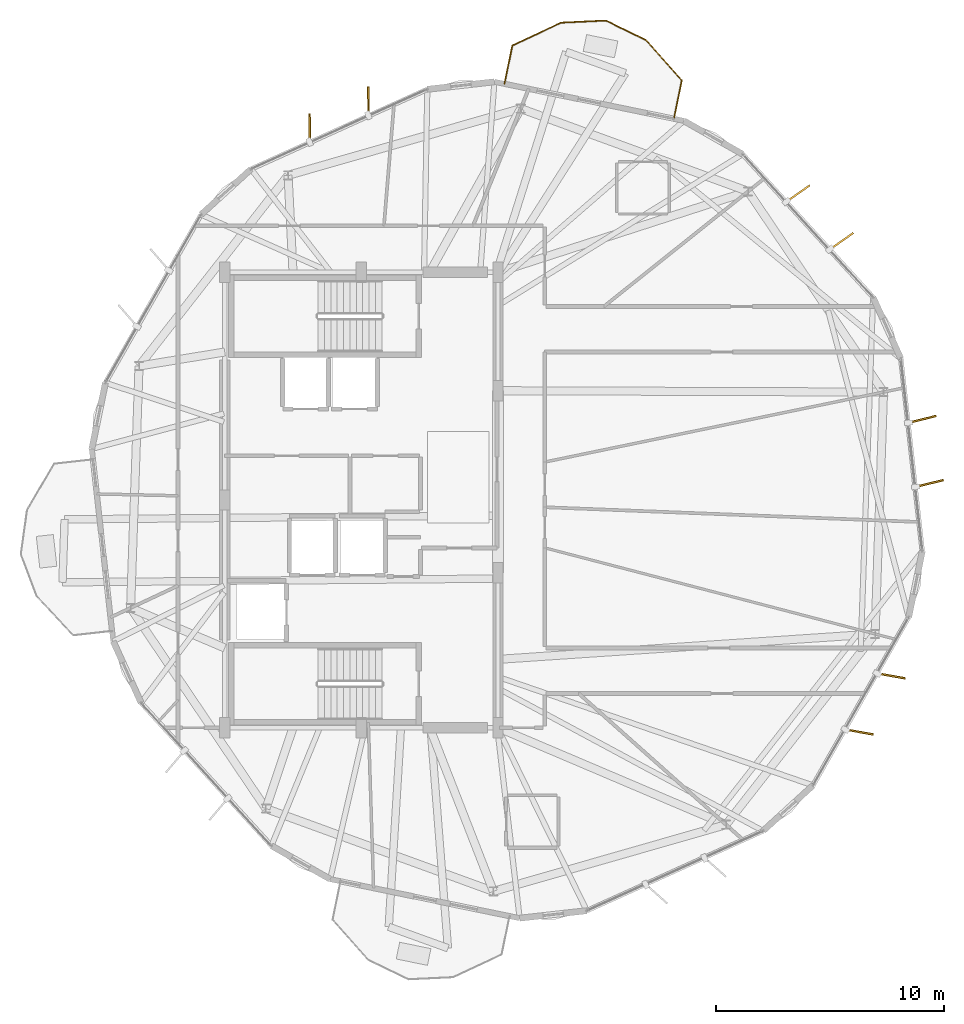
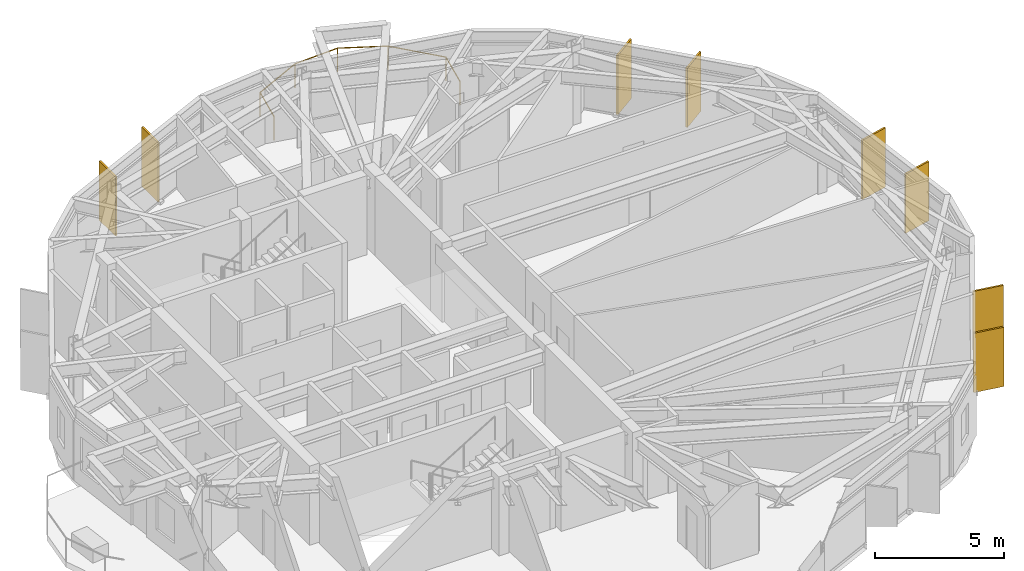
# One storey, part 23 of 23: 8 shading devices, 1 railing.
"""IFC4 building model written with IfcOpenShell, lengths in metres."""

from ifc_helpers import new_model, si_unit, direction, frame, origin, origin_2d, place, context, subcontext, project, spatial, rectangle, circle, extrude, material, layer, layer_set, type_object, element, save


model = new_model("IFC4")

# Units and contexts
model_context = context("Model", 3, precision=1e-05, world=origin(), true_north=direction((0.0, 1.0)))
body_context = subcontext(model_context, "Body", "Model", "MODEL_VIEW")
ifc_project = project(units=[si_unit("LENGTHUNIT", "METRE"), si_unit("AREAUNIT", "SQUARE_METRE"), si_unit("VOLUMEUNIT", "CUBIC_METRE"), si_unit("PLANEANGLEUNIT", "RADIAN"), si_unit("MASSUNIT", "GRAM", prefix="KILO")], contexts=[model_context])

# Site, building, storey
site_placement = place(None, origin())
site = spatial("IfcSite", under=ifc_project, at=site_placement, CompositionType="ELEMENT")
building_placement = place(site_placement, origin())
building = spatial("IfcBuilding", under=site, at=building_placement, Name="Soratama Intermodal Tower", CompositionType="ELEMENT")
storey_placement = place(building_placement, frame((0.0, 0.0, 257.5)))
storey = spatial("IfcBuildingStorey", under=building, at=storey_placement, Name="L65", CompositionType="ELEMENT", Elevation=257.5)

# Railing
ifc_material_1 = material(Name="Laminated glass and stainless steel balustrade", Category="steel")
railing_type = type_object("IfcRailingType", Name="RL-BAL-1150", PredefinedType="BALUSTRADE", material=ifc_material_1)
railing_placement = place(storey_placement, frame((44.8857421875, 43.27880859375, 0.0)))
element("IfcRailing", 1, at=railing_placement, inside=storey, type_object=railing_type, Name="L65 Balcony Balustrade 1", PredefinedType="BALUSTRADE", context=body_context, shape_type="SweptSolid", body=[
    extrude(circle(Radius=0.02392578125, at=origin_2d()), frame((0.0, 0.0, 1.1259765625), z_axis=(0.201845160369, 0.979417444829, 0.0), x_axis=(-0.979417444829, 0.201845160369, 0.0)), (0.0, 0.0, 1.0), 1.719970703125),
    extrude(circle(Radius=0.02392578125, at=origin_2d()), frame((0.34716796875, 1.6845703125, 1.1259765625), z_axis=(0.905964495348, 0.423353673858, 0.0), x_axis=(-0.423353673858, 0.905964495348, 0.0)), (0.0, 0.0, 1.0), 2.368896484375),
    extrude(circle(Radius=0.02392578125, at=origin_2d()), frame((2.493408203125, 2.6875, 1.1259765625), z_axis=(0.998915242852, 0.046565412044, 0.0), x_axis=(-0.046565412044, 0.998915242852, 0.0)), (0.0, 0.0, 1.0), 1.9609375),
    extrude(circle(Radius=0.02392578125, at=origin_2d()), frame((4.4521484375, 2.77880859375, 1.1259765625), z_axis=(0.89913312708, -0.437675244659, 0.0), x_axis=(0.437675244659, 0.89913312708, 0.0)), (0.0, 0.0, 1.0), 1.960693359375),
    extrude(circle(Radius=0.02392578125, at=origin_2d()), frame((6.215087890625, 1.920654296875, 1.1259765625), z_axis=(0.665009634724, -0.746834778063, 0.0), x_axis=(0.746834778063, 0.665009634724, 0.0)), (0.0, 0.0, 1.0), 2.369140625),
    extrude(circle(Radius=0.02392578125, at=origin_2d()), frame((7.79052734375, 0.1513671875, 1.1259765625), z_axis=(-0.201708992991, -0.979445497282, 0.0), x_axis=(0.979445497282, -0.201708992991, 0.0)), (0.0, 0.0, 1.0), 1.719970703125),
    extrude(circle(Radius=0.02099609375, at=origin_2d()), origin(), (0.0, 0.0, 1.0), 1.101806640625),
    extrude(circle(Radius=0.02099609375, at=origin_2d()), frame((0.34716796875, 1.6845703125, 0.0)), (0.0, 0.0, 1.0), 1.101806640625),
    extrude(circle(Radius=0.02099609375, at=origin_2d()), frame((2.493408203125, 2.6875, 0.0)), (0.0, 0.0, 1.0), 1.101806640625),
    extrude(circle(Radius=0.02099609375, at=origin_2d()), frame((4.4521484375, 2.77880859375, 0.0)), (0.0, 0.0, 1.0), 1.101806640625),
    extrude(circle(Radius=0.02099609375, at=origin_2d()), frame((6.215087890625, 1.920654296875, 0.0)), (0.0, 0.0, 1.0), 1.101806640625),
    extrude(circle(Radius=0.02099609375, at=origin_2d()), frame((7.79052734375, 0.1513671875, 0.0)), (0.0, 0.0, 1.0), 1.101806640625),
    extrude(circle(Radius=0.02099609375, at=origin_2d()), frame((7.443603515625, -1.533203125, 0.0)), (0.0, 0.0, 1.0), 1.101806640625),
])

# Shading devices
ifc_material_2 = material(Name="Champagne anodised aluminium solar fin", Category="aluminium")
ifc_layer = layer(ifc_material_2, 0.080078125)
ifc_layer_set = layer_set([ifc_layer], Name="Champagne anodised aluminium solar fin")
shading_device_type = type_object("IfcShadingDeviceType", Name="SH-FIN-1250", PredefinedType="USERDEFINED", material=ifc_layer_set)
for number, where, z_axis, x_axis, name in (
    (2, (38.91162109375, 42.517333984375, 0.02001953125), (0.0, 0.0, 1.0), (-0.006283143966, 0.999980260856, 0.0), "L65 Solar Fin F02-1"),
    (3, (36.33056640625, 41.3486328125, 0.02001953125), (0.0, 0.0, 1.0), (-0.006283143966, 0.999980260856, 0.0), "L65 Solar Fin F02-2"),
    (4, (60.474609375, 14.811767578125, 0.02001953125), (0.0, 0.0, 1.0), (0.984133733774, -0.177428278601, 0.0), "L65 Solar Fin F08-1"),
    (5, (61.875732421875, 17.2744140625, 0.02001953125), (0.0, 0.0, 1.0), (0.984133733774, -0.177428278601, 0.0), "L65 Solar Fin F08-2"),
    (6, (63.55322265625, 25.726318359375, 0.02001953125), (0.0, 0.0, 1.0), (0.971217484627, 0.23819445324, 0.0), "L65 Solar Fin F09-1"),
    (7, (63.2392578125, 28.542236328125, 0.02001953125), (0.0, 0.0, 1.0), (0.971217484627, 0.23819445324, 0.0), "L65 Solar Fin F09-2"),
    (8, (59.695068359375, 36.369873046875, 0.02001953125), (0.0, 0.0, 1.0), (0.819752242868, 0.572718307995, 0.0), "L65 Solar Fin F10-1"),
    (9, (57.7861328125, 38.46337890625, 0.02001953125), (0.0, 0.0, 1.0), (0.819752242868, 0.572718307995, 0.0), "L65 Solar Fin F10-2"),
):
    element("IfcShadingDevice", number, at=place(storey_placement, frame(where, z_axis=z_axis, x_axis=x_axis)), inside=storey, type_object=shading_device_type, Name=name, ObjectType="FIN", PredefinedType="USERDEFINED", context=body_context, shape_type="SweptSolid", body=[
        extrude(rectangle(XDim=1.25, YDim=0.080078125, at=origin_2d()), origin(), (0.0, 0.0, 1.0), 2.80908203125),
    ])

save(model, "model.ifc")
